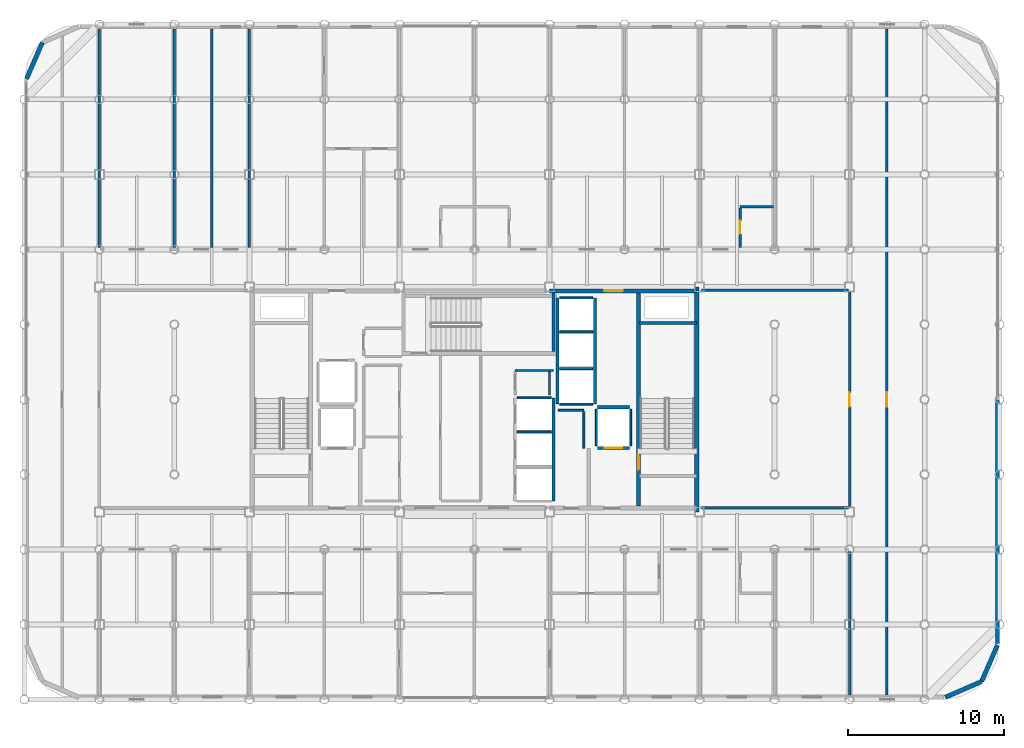
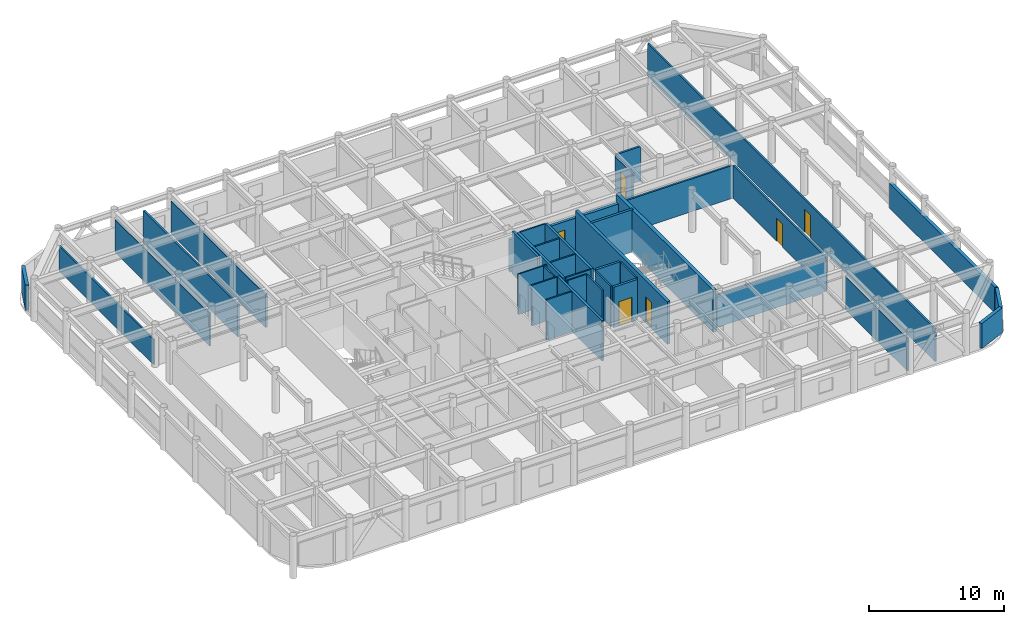
# One storey, part 21 of 23: 37 walls, 6 doors, 6 openings.
"""IFC4 building model written with IfcOpenShell, lengths in metres."""

import ifcopenshell
import ifcopenshell.guid

model = None  # the IFC model being written
_history = None  # IfcOwnerHistory: only IFC2X3 demands one
_inside = {}  # id of a spatial element -> (the spatial element, [elements in it])
_under = {}  # id of a project, library or spatial element -> (it, [spatial elements below it])
_declared = {}  # id of a project -> (the project, [libraries it declares])
_typed = {}  # id of a type object -> (the type object, [elements of that type])
_made_of = {}  # id of a material, layer set ... -> (it, [elements and type objects made of it])


def new_model(schema):
    """Start an empty IFC model of exactly this schema.

    Asked for "IFC4X3", IfcOpenShell would pick the latest addendum, in which some entities
    have other attributes; the version numbers below select the first issue.
    IFC2X3 requires an IfcOwnerHistory on every rooted entity: one is made here for all.
    """
    global model, _history
    if schema == "IFC4X3":
        model = ifcopenshell.file(schema_version=(4, 3, 0, 0))
    else:
        model = ifcopenshell.file(schema=schema)
    _inside.clear()
    _under.clear()
    _declared.clear()
    _typed.clear()
    _made_of.clear()
    _history = None
    if model.schema == "IFC2X3":
        org = make("IfcOrganization", Name="unknown")
        user = make(
            "IfcPersonAndOrganization",
            ThePerson=make("IfcPerson", FamilyName="unknown"),
            TheOrganization=org,
        )
        app = make(
            "IfcApplication",
            ApplicationDeveloper=org,
            Version="unknown",
            ApplicationFullName="unknown",
            ApplicationIdentifier="unknown",
        )
        _history = make(
            "IfcOwnerHistory",
            OwningUser=user,
            OwningApplication=app,
            ChangeAction="ADDED",
            CreationDate=0,
        )
    return model


def make(cls, **values):
    """One entity of the class cls with the attributes given. An attribute that is None is left unset."""
    return model.create_entity(
        cls, **{name: value for name, value in values.items() if value is not None}
    )


def rooted(cls, **values):
    """An entity with a GlobalId (a new one), such as an element, a storey or a relation."""
    return make(cls, GlobalId=ifcopenshell.guid.new(), OwnerHistory=_history, **values)


def si_unit(unit_type, name, prefix=None):
    """IfcSIUnit, for example si_unit("LENGTHUNIT", "METRE", prefix="MILLI")."""
    return make("IfcSIUnit", UnitType=unit_type, Prefix=prefix, Name=name)


def assignment(units):
    """IfcUnitAssignment: the units of a project."""
    return None if units is None else make("IfcUnitAssignment", Units=units)


def point(xyz):
    """IfcCartesianPoint."""
    return None if xyz is None else make("IfcCartesianPoint", Coordinates=xyz)


def direction(xyz):
    """IfcDirection."""
    return None if xyz is None else make("IfcDirection", DirectionRatios=xyz)


def frame(location, z_axis=None, x_axis=None):
    """IfcAxis2Placement3D, a coordinate frame: its origin and axes. An axis left out is left unset."""
    return make(
        "IfcAxis2Placement3D",
        Location=point(location),
        Axis=direction(z_axis),
        RefDirection=direction(x_axis),
    )


def frame_2d(location, x_axis=None):
    """IfcAxis2Placement2D, a coordinate frame in the plane: its origin and x axis."""
    return make(
        "IfcAxis2Placement2D", Location=point(location), RefDirection=direction(x_axis)
    )


def origin():
    """The frame at (0, 0, 0) with its axes left unset."""
    return frame((0.0, 0.0, 0.0))


def place(relative_to, where):
    """IfcLocalPlacement: puts the frame where relative to a parent placement (None: the world)."""
    return make(
        "IfcLocalPlacement", PlacementRelTo=relative_to, RelativePlacement=where
    )


def context(
    kind, dimensions, precision=None, world=None, true_north=None, identifier=None
):
    """IfcGeometricRepresentationContext, for example the 3D "Model" context."""
    return make(
        "IfcGeometricRepresentationContext",
        ContextIdentifier=identifier,
        ContextType=kind,
        CoordinateSpaceDimension=dimensions,
        Precision=precision,
        WorldCoordinateSystem=world,
        TrueNorth=true_north,
    )


def subcontext(parent, identifier, kind, view, scale=None):
    """IfcGeometricRepresentationSubContext, for example "Body" below "Model"."""
    return make(
        "IfcGeometricRepresentationSubContext",
        ContextIdentifier=identifier,
        ContextType=kind,
        ParentContext=parent,
        TargetScale=scale,
        TargetView=view,
    )


def project(units=None, contexts=None):
    """IfcProject with its units and contexts."""
    return rooted(
        "IfcProject",
        Name="project",
        RepresentationContexts=contexts,
        UnitsInContext=assignment(units),
    )


def spatial(cls, under=None, at=None, **own):
    """A site, building, storey or space (cls), placed at a placement, below another one or the project."""
    s = rooted(cls, ObjectPlacement=at, **own)
    if under is not None:
        _under.setdefault(under.id(), (under, []))[1].append(s)
    return s


def profile(cls, at=None, kind="AREA", **sizes):
    """A parametric profile (cls). Its sizes go by their IFC names, for example OverallWidth=200.0."""
    return make(cls, ProfileType=kind, Position=at, **sizes)


def rectangle(**sizes):
    """IfcRectangleProfileDef."""
    return profile("IfcRectangleProfileDef", **sizes)


def extrude(swept, where, along, depth):
    """IfcExtrudedAreaSolid: the profile swept, set in the frame where, extruded along a direction by depth."""
    return make(
        "IfcExtrudedAreaSolid",
        SweptArea=swept,
        Position=where,
        ExtrudedDirection=direction(along),
        Depth=depth,
    )


def shape(context_of_items, identifier, shape_type, items):
    """IfcShapeRepresentation: the items that make up one representation, for example the "Body"."""
    return make(
        "IfcShapeRepresentation",
        ContextOfItems=context_of_items,
        RepresentationIdentifier=identifier,
        RepresentationType=shape_type,
        Items=items,
    )


def material(Name=None, Category=None):
    """IfcMaterial."""
    return make("IfcMaterial", Name=Name, Category=Category)


def layer(
    of_material, thickness, ventilated=None, Name=None, Category=None, Priority=None
):
    """IfcMaterialLayer: one layer of a wall or slab, of a material (None: an air gap)."""
    return make(
        "IfcMaterialLayer",
        Material=of_material,
        LayerThickness=thickness,
        IsVentilated=ventilated,
        Name=Name,
        Category=Category,
        Priority=Priority,
    )


def layer_set(layers, Name=None):
    """IfcMaterialLayerSet."""
    return make("IfcMaterialLayerSet", MaterialLayers=layers, LayerSetName=Name)


def made_of(thing, what):
    """Note that an element or type object is made of a material, layer set ...; save() writes the relation."""
    if what is not None:
        _made_of.setdefault(what.id(), (what, []))[1].append(thing)
    return thing


def type_object(cls, material=None, **own):
    """A type object (cls), such as IfcWallType, which elements share."""
    return made_of(rooted(cls, **own), material)


def element(
    cls,
    number,
    at=None,
    inside=None,
    cuts=None,
    type_object=None,
    material=None,
    context=None,
    identifier="Body",
    shape_type=None,
    held_by="IfcProductDefinitionShape",
    body=None,
    shapes=None,
    **own,
):
    """One element of the class cls, such as IfcWall. Its Tag is "e" and its number.

    at: its placement. inside: the storey or other place that contains it. cuts: it is an
    opening in that element (IfcRelVoidsElement). A single representation is given by context,
    identifier, shape_type and body (its items); several are given by shapes. held_by: the class
    of the entity that holds the representations. save() writes the other relations.
    """
    e = rooted(cls, Tag="e%d" % number, ObjectPlacement=at, **own)
    if body is not None:
        shapes = [shape(context, identifier, shape_type, body)]
    if shapes is not None:
        e.Representation = make(held_by, Representations=shapes)
    if inside is not None:
        _inside.setdefault(inside.id(), (inside, []))[1].append(e)
    if cuts is not None:
        rooted(
            "IfcRelVoidsElement", RelatingBuildingElement=cuts, RelatedOpeningElement=e
        )
    if type_object is not None:
        _typed.setdefault(type_object.id(), (type_object, []))[1].append(e)
    return made_of(e, material)


def fill(opening, filler):
    """IfcRelFillsElement: the door or window that sits in an opening."""
    return rooted(
        "IfcRelFillsElement",
        RelatingOpeningElement=opening,
        RelatedBuildingElement=filler,
    )


def aggregate(whole, parts):
    """IfcRelAggregates: a whole, such as a stair, and the parts it consists of."""
    return rooted("IfcRelAggregates", RelatingObject=whole, RelatedObjects=parts)


def save(model, path):
    """Write the relations noted so far, then the file.

    IfcRelAggregates (storeys below a building ...), IfcRelContainedInSpatialStructure (elements
    in a storey), IfcRelDefinesByType, IfcRelAssociatesMaterial and IfcRelDeclares: one each for
    every whole, place, type object, material and project.
    """
    for whole, parts in _under.values():
        aggregate(whole, parts)
    for where, things in _inside.values():
        rooted(
            "IfcRelContainedInSpatialStructure",
            RelatedElements=things,
            RelatingStructure=where,
        )
    for kind, things in _typed.values():
        rooted("IfcRelDefinesByType", RelatedObjects=things, RelatingType=kind)
    for what, things in _made_of.values():
        rooted("IfcRelAssociatesMaterial", RelatedObjects=things, RelatingMaterial=what)
    for by, libraries in _declared.values():
        rooted("IfcRelDeclares", RelatingContext=by, RelatedDefinitions=libraries)
    model.write(path)


model = new_model("IFC4")

# Units and contexts
model_context = context("Model", 3, precision=1e-05, world=origin(), true_north=direction((0.0, 1.0)))
body_context = subcontext(model_context, "Body", "Model", "MODEL_VIEW")
ifc_project = project(units=[si_unit("LENGTHUNIT", "METRE"), si_unit("AREAUNIT", "SQUARE_METRE"), si_unit("VOLUMEUNIT", "CUBIC_METRE"), si_unit("PLANEANGLEUNIT", "RADIAN"), si_unit("MASSUNIT", "GRAM", prefix="KILO")], contexts=[model_context])

# Site, building, storey
site_placement = place(None, origin())
site = spatial("IfcSite", under=ifc_project, at=site_placement, CompositionType="ELEMENT")
building_placement = place(site_placement, origin())
building = spatial("IfcBuilding", under=site, at=building_placement, Name="Kallvorn Hotel Tower", CompositionType="ELEMENT")
storey_placement = place(building_placement, frame((0.0, 0.0, 237.699951171875)))
storey = spatial("IfcBuildingStorey", under=building, at=storey_placement, Name="L59", CompositionType="ELEMENT", Elevation=237.699951171875)

# Walls
ifc_material_1 = material(Name="Concrete C50/60", Category="concrete")
ifc_layer_1 = layer(ifc_material_1, 0.300048828125)
ifc_layer_set_1 = layer_set([ifc_layer_1], Name="WL_CORE_300")
wall_type_1 = type_object("IfcWallType", Name="WL_CORE_300", PredefinedType="SHEAR", material=ifc_layer_set_1)
wall_1_placement = place(storey_placement, frame((14.215087890625, -7.199951171875, -0.179931640625), z_axis=(0.0, 0.0, 1.0), x_axis=(0.0, 1.0, 0.0)))
element("IfcWall", 1, at=wall_1_placement, inside=storey, type_object=wall_type_1, Name="L59 Core East Shear Wall", PredefinedType="SHEAR", context=body_context, shape_type="SweptSolid", body=[
    extrude(rectangle(XDim=14.39990234375, YDim=0.300048828125, at=frame_2d((7.199951171875, 0.0))), origin(), (0.0, 0.0, 1.0), 3.85009765625),
])
ifc_material_2 = material(Name="Fire-rated double-layer acoustic gypsum drywall EI 60")
ifc_layer_2 = layer(ifc_material_2, 0.159912109375)
ifc_layer_set_2 = layer_set([ifc_layer_2], Name="WL_DEMISE_160")
wall_type_2 = type_object("IfcWallType", Name="WL_DEMISE_160", PredefinedType="PARTITIONING", material=ifc_layer_set_2)
wall_2_placement = place(storey_placement, frame((16.989990234375, 12.320068359375, 0.0), z_axis=(0.0, 0.0, 1.0), x_axis=(1.0, 0.0, 0.0)))
element("IfcWall", 2, at=wall_2_placement, inside=storey, type_object=wall_type_2, Name="L59 Suite 5909 Standard Twin Room Partition", PredefinedType="PARTITIONING", context=body_context, shape_type="SweptSolid", body=[
    extrude(rectangle(XDim=2.130126953125, YDim=0.159912109375, at=frame_2d((1.06494140625, 0.0))), origin(), (0.0, 0.0, 1.0), 3.1201171875),
])
wall_3_placement = place(storey_placement, frame((-14.39990234375, 9.719970703125, 0.0), z_axis=(0.0, 0.0, 1.0), x_axis=(0.0, 1.0, 0.0)))
element("IfcWall", 3, at=wall_3_placement, inside=storey, type_object=wall_type_2, Name="L59 Suite 5906 Junior Living Salon Partition", PredefinedType="PARTITIONING", context=body_context, shape_type="SweptSolid", body=[
    extrude(rectangle(XDim=13.989990234375, YDim=0.159912109375, at=frame_2d((6.9951171875, 0.0))), origin(), (0.0, 0.0, 1.0), 2.969970703125),
])

# Wall, opening, door
wall_4_placement = place(storey_placement, frame((16.989990234375, 9.719970703125, 0.0), z_axis=(0.0, 0.0, 1.0), x_axis=(0.0, 1.0, 0.0)))
wall_4 = element("IfcWall", 4, at=wall_4_placement, inside=storey, type_object=wall_type_2, Name="L59 Suite 5909 Standard Twin Room Partition", PredefinedType="PARTITIONING", context=body_context, shape_type="SweptSolid", body=[
    extrude(rectangle(XDim=2.51513671875, YDim=0.159912109375, at=frame_2d((1.257568359375, 0.0))), origin(), (0.0, 0.0, 1.0), 2.969970703125),
])
opening_1_placement = place(wall_4_placement, frame((0.8701171875, 0.0, 0.0)))
opening_1 = element("IfcOpeningElement", 5, at=opening_1_placement, cuts=wall_4, Name="Opening BD-I", PredefinedType="OPENING", context=body_context, shape_type="SweptSolid", body=[
    extrude(rectangle(XDim=0.860107421875, YDim=2.10009765625, at=frame_2d((0.43017578125, 1.050048828125))), frame((0.0, 0.094970703125, 0.0), z_axis=(0.0, -1.0, 0.0), x_axis=(1.0, 0.0, 0.0)), (0.0, 0.0, 1.0), 0.18994140625),
])
ifc_material_3 = material(Name="Solid-core walnut veneer fire-rated timber door leaf", Category="wood")
door_type_1 = type_object("IfcDoorType", Name="DR_BATH_860x2100", OperationType="NOTDEFINED", PredefinedType="DOOR", material=ifc_material_3)
door_1_placement = place(opening_1_placement, origin())
door_1 = element("IfcDoor", 6, at=door_1_placement, inside=storey, type_object=door_type_1, Name="L59 Suite 5909 En-Suite Bathroom Door", OperationType="SINGLE_SWING_RIGHT", OverallHeight=2.10009765625, OverallWidth=0.860107421875, PredefinedType="DOOR", context=body_context, shape_type="SweptSolid", body=[
    extrude(rectangle(XDim=0.860107421875, YDim=2.10009765625, at=frame_2d((0.43017578125, 1.050048828125))), frame((0.0, 0.02490234375, 0.0), z_axis=(0.0, -1.0, 0.0), x_axis=(1.0, 0.0, 0.0)), (0.0, 0.0, 1.0), 0.050048828125),
])
fill(opening_1, door_1)

# Walls
ifc_material_4 = material(Name="Precast basalt-clad insulated concrete wall C40/50", Category="masonry")
ifc_layer_3 = layer(ifc_material_4, 0.280029296875)
ifc_layer_set_3 = layer_set([ifc_layer_3], Name="WL_EXT_LOGGIA_280")
wall_type_3 = type_object("IfcWallType", Name="WL_EXT_LOGGIA_280", PredefinedType="SOLIDWALL", material=ifc_layer_set_3)
wall_5_placement = place(storey_placement, frame((30.120849609375, -19.057861328125, 0.0), z_axis=(0.0, 0.0, 1.0), x_axis=(0.917060872934, 0.398747232384, 0.0)))
element("IfcWall", 7, at=wall_5_placement, inside=storey, type_object=wall_type_3, Name="L59 Rounded Corner Exterior Wall SE1", PredefinedType="SOLIDWALL", context=body_context, shape_type="SweptSolid", body=[
    extrude(rectangle(XDim=2.5361328125, YDim=0.280029296875, at=frame_2d((1.26806640625, 0.0))), origin(), (0.0, 0.0, 1.0), 2.27001953125),
])
for number, where, z_axis, x_axis, name in (
    (8, (32.446533203125, -18.046630859375, 0.0), (0.0, 0.0, 1.0), (0.398792985289, 0.917040977756, 0.0), "L59 Rounded Corner Exterior Wall SE2"),
    (9, (-27.646484375, 22.8466796875, 0.0), (0.0, 0.0, 1.0), (-0.398792985289, -0.917040977756, 0.0), "L59 Rounded Corner Exterior Wall NW2"),
):
    element("IfcWall", number, at=place(storey_placement, frame(where, z_axis=z_axis, x_axis=x_axis)), inside=storey, type_object=wall_type_3, Name=name, PredefinedType="SOLIDWALL", context=body_context, shape_type="SweptSolid", body=[
        extrude(rectangle(XDim=2.536376953125, YDim=0.280029296875, at=frame_2d((1.26806640625, 0.0))), origin(), (0.0, 0.0, 1.0), 2.27001953125),
    ])
wall_6_placement = place(storey_placement, frame((33.4599609375, -15.60009765625, 0.0), z_axis=(0.0, 0.0, 1.0), x_axis=(0.0, 1.0, 0.0)))
element("IfcWall", 10, at=wall_6_placement, inside=storey, type_object=wall_type_3, Name="L59 Exterior Envelope Wall EW-L59-ES", PredefinedType="SOLIDWALL", context=body_context, shape_type="SweptSolid", body=[
    extrude(rectangle(XDim=15.580078125, YDim=0.280029296875, at=frame_2d((7.7900390625, 0.0))), origin(), (0.0, 0.0, 1.0), 2.27001953125),
])
ifc_material_5 = material(Name="Concrete C40/50", Category="concrete")
ifc_layer_4 = layer(ifc_material_5, 0.199951171875)
ifc_layer_set_4 = layer_set([ifc_layer_4], Name="WL_HOIST_200")
wall_type_4 = type_object("IfcWallType", Name="WL_HOIST_200", PredefinedType="SOLIDWALL", material=ifc_layer_set_4)
wall_7_placement = place(storey_placement, frame((10.550048828125, 4.89990234375, -0.179931640625), z_axis=(0.0, 0.0, 1.0), x_axis=(1.0, 0.0, 0.0)))
element("IfcWall", 11, at=wall_7_placement, inside=storey, type_object=wall_type_4, Name="L59 Stair ST2 North Wall", PredefinedType="SOLIDWALL", context=body_context, shape_type="SweptSolid", body=[
    extrude(rectangle(XDim=3.64990234375, YDim=0.199951171875, at=frame_2d((1.824951171875, 0.0))), origin(), (0.0, 0.0, 1.0), 3.85009765625),
])
wall_8_placement = place(storey_placement, frame((5.06005859375, 3.080078125, -0.179931640625), z_axis=(0.0, 0.0, 1.0), x_axis=(0.0, 1.0, 0.0)))
element("IfcWall", 12, at=wall_8_placement, inside=storey, type_object=wall_type_4, Name="L59 Stair ST3 East Wall", PredefinedType="SOLIDWALL", context=body_context, shape_type="SweptSolid", body=[
    extrude(rectangle(XDim=3.739990234375, YDim=0.199951171875, at=frame_2d((1.8701171875, 0.0))), origin(), (0.0, 0.0, 1.0), 3.85009765625),
])
wall_9_placement = place(storey_placement, frame((5.050048828125, -6.5, 0.0), z_axis=(0.0, 0.0, 1.0), x_axis=(0.0, 1.0, 0.0)))
element("IfcWall", 13, at=wall_9_placement, inside=storey, type_object=wall_type_4, Name="L59 Lift Bank B3A Rear Shaft Wall", PredefinedType="SOLIDWALL", context=body_context, shape_type="SweptSolid", body=[
    extrude(rectangle(XDim=6.60009765625, YDim=0.199951171875, at=frame_2d((3.300048828125, 0.0))), origin(), (0.0, 0.0, 1.0), 3.670166015625),
])
for number, where, z_axis, x_axis, name in (
    (14, (7.699951171875, -0.300048828125, 0.0), (0.0, 0.0, 1.0), (0.0, 1.0, 0.0), "L59 Lift Bank OBS Landing Wall"),
    (15, (5.300048828125, -0.300048828125, 0.0), (0.0, 0.0, 1.0), (0.0, 1.0, 0.0), "L59 Lift Bank OBS Rear Shaft Wall"),
):
    element("IfcWall", number, at=place(storey_placement, frame(where, z_axis=z_axis, x_axis=x_axis)), inside=storey, type_object=wall_type_4, Name=name, PredefinedType="SOLIDWALL", context=body_context, shape_type="SweptSolid", body=[
        extrude(rectangle(XDim=6.800048828125, YDim=0.199951171875, at=frame_2d((3.39990234375, 0.0))), origin(), (0.0, 0.0, 1.0), 3.670166015625),
    ])

# Wall, opening, door
wall_10_placement = place(storey_placement, frame((7.8798828125, -3.10009765625, 0.0), z_axis=(0.0, 0.0, 1.0), x_axis=(1.0, 0.0, 0.0)))
wall_10 = element("IfcWall", 16, at=wall_10_placement, inside=storey, type_object=wall_type_4, Name="L59 FL-2 Landing Wall", PredefinedType="SOLIDWALL", context=body_context, shape_type="SweptSolid", body=[
    extrude(rectangle(XDim=2.0400390625, YDim=0.199951171875, at=frame_2d((1.02001953125, 0.0))), origin(), (0.0, 0.0, 1.0), 3.670166015625),
])
opening_2_placement = place(wall_10_placement, frame((0.469970703125, 0.0, 0.0)))
opening_2 = element("IfcOpeningElement", 17, at=opening_2_placement, cuts=wall_10, Name="Opening LD-FL-2", PredefinedType="OPENING", context=body_context, shape_type="SweptSolid", body=[
    extrude(rectangle(XDim=1.10009765625, YDim=2.199951171875, at=frame_2d((0.550048828125, 1.10009765625))), frame((0.0, 0.114990234375, 0.0), z_axis=(0.0, -1.0, 0.0), x_axis=(1.0, 0.0, 0.0)), (0.0, 0.0, 1.0), 0.22998046875),
])
ifc_material_6 = material(Name="Brushed stainless-steel automatic sliding lift landing door", Category="steel")
door_type_2 = type_object("IfcDoorType", Name="LD_PASS_1100x2200", OperationType="SLIDING_TO_LEFT", PredefinedType="DOOR", material=ifc_material_6)
door_2_placement = place(opening_2_placement, origin())
door_2 = element("IfcDoor", 18, at=door_2_placement, inside=storey, type_object=door_type_2, Name="L59 Lift Landing Sliding Door LD-FL-2", OperationType="SLIDING_TO_LEFT", OverallHeight=2.199951171875, OverallWidth=1.10009765625, PredefinedType="DOOR", context=body_context, shape_type="SweptSolid", body=[
    extrude(rectangle(XDim=1.10009765625, YDim=2.199951171875, at=frame_2d((0.550048828125, 1.10009765625))), frame((0.0, 0.02490234375, 0.0), z_axis=(0.0, -1.0, 0.0), x_axis=(1.0, 0.0, 0.0)), (0.0, 0.0, 1.0), 0.050048828125),
])
fill(opening_2, door_2)

# Walls
wall_11_placement = place(storey_placement, frame((7.8798828125, -0.5, 0.0), z_axis=(0.0, 0.0, 1.0), x_axis=(1.0, 0.0, 0.0)))
element("IfcWall", 19, at=wall_11_placement, inside=storey, type_object=wall_type_4, Name="L59 FL-2 Rear Shaft Wall", PredefinedType="SOLIDWALL", context=body_context, shape_type="SweptSolid", body=[
    extrude(rectangle(XDim=2.0400390625, YDim=0.199951171875, at=frame_2d((1.02001953125, 0.0))), origin(), (0.0, 0.0, 1.0), 3.670166015625),
])
ifc_material_7 = material(Name="Fire-rated double-layer acoustic gypsum drywall EI 60")
ifc_layer_5 = layer(ifc_material_7, 0.1201171875)
ifc_layer_set_5 = layer_set([ifc_layer_5], Name="WL_INT_120")
wall_type_5 = type_object("IfcWallType", Name="WL_INT_120", PredefinedType="PARTITIONING", material=ifc_layer_set_5)
for number, where, z_axis, x_axis, name in (
    (20, (2.739990234375, -2.074951171875, 0.0), (0.0, 0.0, 1.0), (1.0, 0.0, 0.0), "L59 PL-10 Hoistway Divider"),
    (21, (2.739990234375, 0.10009765625, 0.0), (0.0, 0.0, 1.0), (1.0, 0.0, 0.0), "L59 PL-11 Hoistway Divider"),
):
    element("IfcWall", number, at=place(storey_placement, frame(where, z_axis=z_axis, x_axis=x_axis)), inside=storey, type_object=wall_type_5, Name=name, PredefinedType="PARTITIONING", context=body_context, shape_type="SweptSolid", body=[
        extrude(rectangle(XDim=2.169921875, YDim=0.1201171875, at=frame_2d((1.0849609375, 0.0))), origin(), (0.0, 0.0, 1.0), 3.670166015625),
    ])
for number, where, z_axis, x_axis, name in (
    (22, (5.43994140625, -0.300048828125, 0.0), (0.0, 0.0, 1.0), (1.0, 0.0, 0.0), "L59 Lift Bank OBS South Closure Wall"),
    (23, (5.43994140625, 1.97509765625, 0.0), (0.0, 0.0, 1.0), (1.0, 0.0, 0.0), "L59 OB-01 Hoistway Divider"),
    (24, (5.43994140625, 4.324951171875, 0.0), (0.0, 0.0, 1.0), (1.0, 0.0, 0.0), "L59 OB-02 Hoistway Divider"),
    (25, (5.43994140625, 6.5, 0.0), (0.0, 0.0, 1.0), (1.0, 0.0, 0.0), "L59 OB-03 Hoistway Divider"),
):
    element("IfcWall", number, at=place(storey_placement, frame(where, z_axis=z_axis, x_axis=x_axis)), inside=storey, type_object=wall_type_5, Name=name, PredefinedType="PARTITIONING", context=body_context, shape_type="SweptSolid", body=[
        extrude(rectangle(XDim=2.1201171875, YDim=0.1201171875, at=frame_2d((1.06005859375, 0.0))), origin(), (0.0, 0.0, 1.0), 3.670166015625),
    ])
for number, where, z_axis, x_axis, name in (
    (26, (7.800048828125, -2.9599609375, 0.0), (0.0, 0.0, 1.0), (0.0, 1.0, 0.0), "L59 FL-2 West Shaft Wall"),
    (27, (10.0, -2.9599609375, 0.0), (0.0, 0.0, 1.0), (0.0, 1.0, 0.0), "L59 FL-2 East Shaft Wall"),
):
    element("IfcWall", number, at=place(storey_placement, frame(where, z_axis=z_axis, x_axis=x_axis)), inside=storey, type_object=wall_type_5, Name=name, PredefinedType="PARTITIONING", context=body_context, shape_type="SweptSolid", body=[
        extrude(rectangle(XDim=2.320068359375, YDim=0.1201171875, at=frame_2d((1.16015625, 0.0))), origin(), (0.0, 0.0, 1.0), 3.670166015625),
    ])
wall_12_placement = place(storey_placement, frame((5.35009765625, -0.699951171875, 0.0), z_axis=(0.0, 0.0, 1.0), x_axis=(1.0, 0.0, 0.0)))
element("IfcWall", 28, at=wall_12_placement, inside=storey, type_object=wall_type_5, Name="L59 Core Utility and Meter Room Partition", PredefinedType="PARTITIONING", context=body_context, shape_type="SweptSolid", body=[
    extrude(rectangle(XDim=1.64990234375, YDim=0.1201171875, at=frame_2d((0.824951171875, 0.0))), origin(), (0.0, 0.0, 1.0), 3.670166015625),
])
wall_13_placement = place(storey_placement, frame((2.60009765625, 1.85009765625, 0.0), z_axis=(0.0, 0.0, 1.0), x_axis=(1.0, 0.0, 0.0)))
element("IfcWall", 29, at=wall_13_placement, inside=storey, type_object=wall_type_5, Name="L59 East Core Ice Pantry Partition", PredefinedType="PARTITIONING", context=body_context, shape_type="SweptSolid", body=[
    extrude(rectangle(XDim=2.449951171875, YDim=0.1201171875, at=frame_2d((1.22509765625, 0.0))), origin(), (0.0, 0.0, 1.0), 3.670166015625),
])
wall_14_placement = place(storey_placement, frame((4.800048828125, 0.300048828125, 0.0), z_axis=(0.0, 0.0, 1.0), x_axis=(0.0, 1.0, 0.0)))
element("IfcWall", 30, at=wall_14_placement, inside=storey, type_object=wall_type_5, Name="L59 East Core Ice Pantry Partition", PredefinedType="PARTITIONING", context=body_context, shape_type="SweptSolid", body=[
    extrude(rectangle(XDim=1.46484375, YDim=0.1201171875, at=frame_2d((0.732421875, 0.0))), origin(), (0.0, 0.0, 1.0), 3.670166015625),
])
wall_15_placement = place(storey_placement, frame((7.0, -3.110107421875, 0.0), z_axis=(0.0, 0.0, 1.0), x_axis=(0.0, 1.0, 0.0)))
element("IfcWall", 31, at=wall_15_placement, inside=storey, type_object=wall_type_5, Name="L59 Core Utility and Meter Room Partition", PredefinedType="PARTITIONING", context=body_context, shape_type="SweptSolid", body=[
    extrude(rectangle(XDim=2.3251953125, YDim=0.1201171875, at=frame_2d((1.16259765625, 0.0))), origin(), (0.0, 0.0, 1.0), 3.670166015625),
])
ifc_material_8 = material(Name="Fire-rated double-layer acoustic gypsum drywall EI 60")
ifc_layer_6 = layer(ifc_material_8, 0.14990234375)
ifc_layer_set_6 = layer_set([ifc_layer_6], Name="WL_PART_150")
wall_type_6 = type_object("IfcWallType", Name="WL_PART_150", PredefinedType="PARTITIONING", material=ifc_layer_set_6)
for number, where, z_axis, x_axis, name in (
    (32, (14.52001953125, -6.919921875, 0.0), (0.0, 0.0, 1.0), (1.0, 0.0, 0.0), "L59 L59 High-Zone Inner East Club Gallery Partition"),
    (33, (14.52001953125, 6.97998046875, 0.0), (0.0, 0.0, 1.0), (1.0, 0.0, 0.0), "L59 L59 High-Zone Inner East Club Gallery Partition"),
):
    element("IfcWall", number, at=place(storey_placement, frame(where, z_axis=z_axis, x_axis=x_axis)), inside=storey, type_object=wall_type_6, Name=name, PredefinedType="PARTITIONING", context=body_context, shape_type="SweptSolid", body=[
        extrude(rectangle(XDim=9.39990234375, YDim=0.14990234375, at=frame_2d((4.699951171875, 0.0))), origin(), (0.0, 0.0, 1.0), 2.969970703125),
    ])
wall_16_placement = place(storey_placement, frame((-24.0, 9.719970703125, 0.0), z_axis=(0.0, 0.0, 1.0), x_axis=(0.0, 1.0, 0.0)))
element("IfcWall", 34, at=wall_16_placement, inside=storey, type_object=wall_type_6, Name="L59 L59 High-Zone North-West Reading Salon Partition", PredefinedType="PARTITIONING", context=body_context, shape_type="SweptSolid", body=[
    extrude(rectangle(XDim=13.989990234375, YDim=0.14990234375, at=frame_2d((6.9951171875, 0.0))), origin(), (0.0, 0.0, 1.0), 2.27001953125),
])
for number, where, z_axis, x_axis, name in (
    (35, (-19.199951171875, 9.719970703125, 0.0), (0.0, 0.0, 1.0), (0.0, 1.0, 0.0), "L59 Housekeeping and Linen Room Partition"),
    (36, (-16.800048828125, 9.719970703125, 0.0), (0.0, 0.0, 1.0), (0.0, 1.0, 0.0), "L59 Guest Tea and Refreshment Bar Partition"),
):
    element("IfcWall", number, at=place(storey_placement, frame(where, z_axis=z_axis, x_axis=x_axis)), inside=storey, type_object=wall_type_6, Name=name, PredefinedType="PARTITIONING", context=body_context, shape_type="SweptSolid", body=[
        extrude(rectangle(XDim=13.989990234375, YDim=0.14990234375, at=frame_2d((6.9951171875, 0.0))), origin(), (0.0, 0.0, 1.0), 2.969970703125),
    ])
wall_17_placement = place(storey_placement, frame((24.0, -18.909912109375, 0.0), z_axis=(0.0, 0.0, 1.0), x_axis=(0.0, 1.0, 0.0)))
element("IfcWall", 37, at=wall_17_placement, inside=storey, type_object=wall_type_6, Name="L59 L59 High-Zone South-East Wine Bar Partition", PredefinedType="PARTITIONING", context=body_context, shape_type="SweptSolid", body=[
    extrude(rectangle(XDim=9.18994140625, YDim=0.14990234375, at=frame_2d((4.594970703125, 0.0))), origin(), (0.0, 0.0, 1.0), 2.969970703125),
])

# Wall, opening, door
wall_18_placement = place(storey_placement, frame((24.0, -6.8349609375, 0.0), z_axis=(0.0, 0.0, 1.0), x_axis=(0.0, 1.0, 0.0)))
wall_18 = element("IfcWall", 38, at=wall_18_placement, inside=storey, type_object=wall_type_6, Name="L59 L59 High-Zone Inner East Club Gallery Partition", PredefinedType="PARTITIONING", context=body_context, shape_type="SweptSolid", body=[
    extrude(rectangle(XDim=13.72998046875, YDim=0.14990234375, at=frame_2d((6.864990234375, 0.0))), origin(), (0.0, 0.0, 1.0), 2.969970703125),
])
opening_3_placement = place(wall_18_placement, frame((6.385009765625, 0.0, 0.0)))
opening_3 = element("IfcOpeningElement", 39, at=opening_3_placement, cuts=wall_18, Name="Opening SVD1", PredefinedType="OPENING", context=body_context, shape_type="SweptSolid", body=[
    extrude(rectangle(XDim=0.89990234375, YDim=2.10009765625, at=frame_2d((0.449951171875, 1.050048828125))), frame((0.0, 0.08984375, 0.0), z_axis=(0.0, -1.0, 0.0), x_axis=(1.0, 0.0, 0.0)), (0.0, 0.0, 1.0), 0.179931640625),
])
ifc_material_9 = material(Name="Galvanised painted steel fire-rated door assembly", Category="steel")
door_type_3 = type_object("IfcDoorType", Name="DR_SERV_900x2100", OperationType="NOTDEFINED", PredefinedType="DOOR", material=ifc_material_9)
door_3_placement = place(opening_3_placement, origin())
door_3 = element("IfcDoor", 40, at=door_3_placement, inside=storey, type_object=door_type_3, Name="L59 L59 High-Zone Inner East Club Gallery Door", OperationType="SINGLE_SWING_RIGHT", OverallHeight=2.10009765625, OverallWidth=0.89990234375, PredefinedType="DOOR", context=body_context, shape_type="SweptSolid", body=[
    extrude(rectangle(XDim=0.89990234375, YDim=2.10009765625, at=frame_2d((0.449951171875, 1.050048828125))), frame((0.0, 0.02490234375, 0.0), z_axis=(0.0, -1.0, 0.0), x_axis=(1.0, 0.0, 0.0)), (0.0, 0.0, 1.0), 0.050048828125),
])
fill(opening_3, door_3)

wall_19_placement = place(storey_placement, frame((26.3798828125, -18.909912109375, 0.0), z_axis=(0.0, 0.0, 1.0), x_axis=(0.0, 1.0, 0.0)))
wall_19 = element("IfcWall", 41, at=wall_19_placement, inside=storey, type_object=wall_type_6, Name="L59 L59 Outer East Sky Observatory Salon Partition", PredefinedType="PARTITIONING", context=body_context, shape_type="SweptSolid", body=[
    extrude(rectangle(XDim=42.619873046875, YDim=0.14990234375, at=frame_2d((21.31005859375, 0.0))), origin(), (0.0, 0.0, 1.0), 2.969970703125),
])
opening_4_placement = place(wall_19_placement, frame((18.4599609375, 0.0, 0.0)))
opening_4 = element("IfcOpeningElement", 42, at=opening_4_placement, cuts=wall_19, Name="Opening SVD1", PredefinedType="OPENING", context=body_context, shape_type="SweptSolid", body=[
    extrude(rectangle(XDim=0.89990234375, YDim=2.10009765625, at=frame_2d((0.449951171875, 1.050048828125))), frame((0.0, 0.08984375, 0.0), z_axis=(0.0, -1.0, 0.0), x_axis=(1.0, 0.0, 0.0)), (0.0, 0.0, 1.0), 0.179931640625),
])
door_4_placement = place(opening_4_placement, origin())
door_4 = element("IfcDoor", 43, at=door_4_placement, inside=storey, type_object=door_type_3, Name="L59 L59 Outer East Sky Observatory Salon Door", OperationType="SINGLE_SWING_LEFT", OverallHeight=2.10009765625, OverallWidth=0.89990234375, PredefinedType="DOOR", context=body_context, shape_type="SweptSolid", body=[
    extrude(rectangle(XDim=0.89990234375, YDim=2.10009765625, at=frame_2d((0.449951171875, 1.050048828125))), frame((0.0, 0.02490234375, 0.0), z_axis=(0.0, -1.0, 0.0), x_axis=(1.0, 0.0, 0.0)), (0.0, 0.0, 1.0), 0.050048828125),
])
fill(opening_4, door_4)

ifc_material_10 = material(Name="Concrete C40/50", Category="concrete")
ifc_layer_7 = layer(ifc_material_10, 0.25)
ifc_layer_set_7 = layer_set([ifc_layer_7], Name="WL_SHAFT_250")
wall_type_7 = type_object("IfcWallType", Name="WL_SHAFT_250", PredefinedType="SOLIDWALL", material=ifc_layer_set_7)
wall_20_placement = place(storey_placement, frame((4.800048828125, 6.949951171875, 0.0), z_axis=(0.0, 0.0, 1.0), x_axis=(1.0, 0.0, 0.0)))
wall_20 = element("IfcWall", 44, at=wall_20_placement, inside=storey, type_object=wall_type_7, Name="L59 Core North-East Wall", PredefinedType="SOLIDWALL", context=body_context, shape_type="SweptSolid", body=[
    extrude(rectangle(XDim=9.39990234375, YDim=0.25, at=frame_2d((4.699951171875, 0.0))), origin(), (0.0, 0.0, 1.0), 2.969970703125),
])
opening_5_placement = place(wall_20_placement, frame((3.5, 0.0, 0.0)))
opening_5 = element("IfcOpeningElement", 45, at=opening_5_placement, cuts=wall_20, Name="Opening FD2", PredefinedType="OPENING", context=body_context, shape_type="SweptSolid", body=[
    extrude(rectangle(XDim=1.199951171875, YDim=2.199951171875, at=frame_2d((0.60009765625, 1.10009765625))), frame((0.0, 0.139892578125, 0.0), z_axis=(0.0, -1.0, 0.0), x_axis=(1.0, 0.0, 0.0)), (0.0, 0.0, 1.0), 0.280029296875),
])
ifc_material_11 = material(Name="Galvanised painted steel fire-rated door assembly", Category="steel")
door_type_4 = type_object("IfcDoorType", Name="DR_LOBBY_1200x2200", OperationType="DOUBLE_DOOR_SINGLE_SWING", PredefinedType="DOOR", material=ifc_material_11)
door_5_placement = place(opening_5_placement, origin())
door_5 = element("IfcDoor", 46, at=door_5_placement, inside=storey, type_object=door_type_4, Name="L59 Observatory Shuttle Lobby Door", OperationType="DOUBLE_DOOR_SINGLE_SWING", OverallHeight=2.199951171875, OverallWidth=1.199951171875, PredefinedType="DOOR", context=body_context, shape_type="SweptSolid", body=[
    extrude(rectangle(XDim=1.199951171875, YDim=2.199951171875, at=frame_2d((0.60009765625, 1.10009765625))), frame((0.0, 0.02490234375, 0.0), z_axis=(0.0, -1.0, 0.0), x_axis=(1.0, 0.0, 0.0)), (0.0, 0.0, 1.0), 0.050048828125),
])
fill(opening_5, door_5)

wall_21_placement = place(storey_placement, frame((10.5, -6.820068359375, -0.179931640625), z_axis=(0.0, 0.0, 1.0), x_axis=(0.0, 1.0, 0.0)))
wall_21 = element("IfcWall", 47, at=wall_21_placement, inside=storey, type_object=wall_type_7, Name="L59 Stair ST2 Shaft Wall", PredefinedType="SOLIDWALL", context=body_context, shape_type="SweptSolid", body=[
    extrude(rectangle(XDim=13.64013671875, YDim=0.25, at=frame_2d((6.820068359375, 0.0))), origin(), (0.0, 0.0, 1.0), 3.85009765625),
])
opening_6_placement = place(wall_21_placement, frame((2.320068359375, 0.0, 0.179931640625)))
opening_6 = element("IfcOpeningElement", 48, at=opening_6_placement, cuts=wall_21, Name="Opening SD1", PredefinedType="OPENING", context=body_context, shape_type="SweptSolid", body=[
    extrude(rectangle(XDim=0.949951171875, YDim=2.14990234375, at=frame_2d((0.47509765625, 1.074951171875))), frame((0.0, 0.139892578125, 0.0), z_axis=(0.0, -1.0, 0.0), x_axis=(1.0, 0.0, 0.0)), (0.0, 0.0, 1.0), 0.280029296875),
])
ifc_material_12 = material(Name="Galvanised painted steel fire-rated door assembly", Category="steel")
door_type_5 = type_object("IfcDoorType", Name="DR_STAIR_950x2150", OperationType="NOTDEFINED", PredefinedType="DOOR", material=ifc_material_12)
door_6_placement = place(opening_6_placement, origin())
door_6 = element("IfcDoor", 49, at=door_6_placement, inside=storey, type_object=door_type_5, Name="L59 Exit Stair ST2 Fire Door", OperationType="SINGLE_SWING_RIGHT", OverallHeight=2.14990234375, OverallWidth=0.949951171875, PredefinedType="DOOR", context=body_context, shape_type="SweptSolid", body=[
    extrude(rectangle(XDim=0.949951171875, YDim=2.14990234375, at=frame_2d((0.47509765625, 1.074951171875))), frame((0.0, 0.02490234375, 0.0), z_axis=(0.0, -1.0, 0.0), x_axis=(1.0, 0.0, 0.0)), (0.0, 0.0, 1.0), 0.050048828125),
])
fill(opening_6, door_6)

save(model, "model.ifc")
